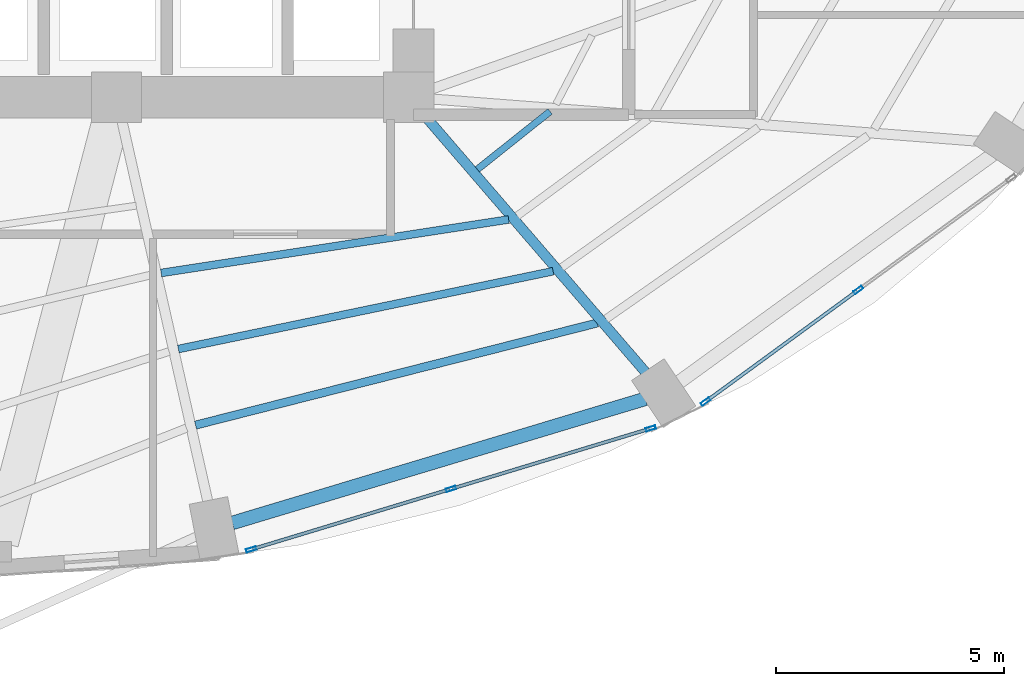
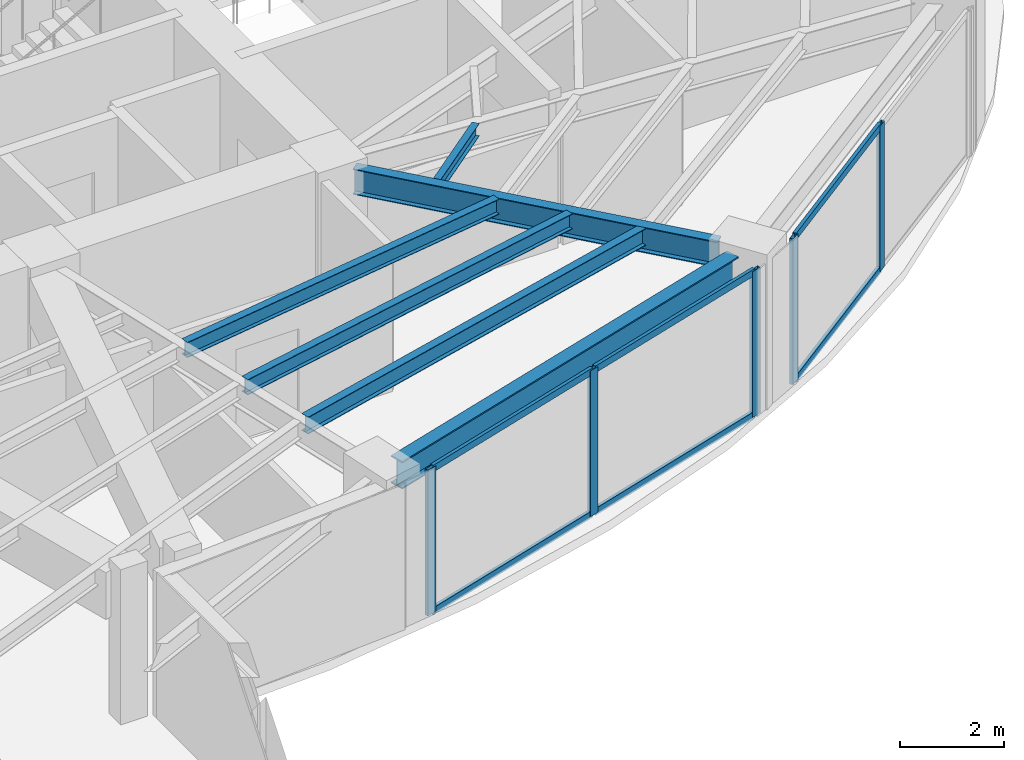
# One storey, part 9 of 24: 11 members, 6 beams, 2 elements without a shape of their own.
"""IFC4 building model written with IfcOpenShell, lengths in metres."""

from ifc_helpers import new_model, si_unit, direction, frame, origin, origin_2d, place, context, subcontext, project, spatial, hollow_rectangle, i_section, extrude, material, layer, layer_set, material_profile, profile_set, type_object, element, aggregate, save


model = new_model("IFC4")

# Units and contexts
model_context = context("Model", 3, precision=1e-05, world=origin(), true_north=direction((0.0, 1.0)))
body_context = subcontext(model_context, "Body", "Model", "MODEL_VIEW")
ifc_project = project(units=[si_unit("LENGTHUNIT", "METRE"), si_unit("AREAUNIT", "SQUARE_METRE"), si_unit("VOLUMEUNIT", "CUBIC_METRE"), si_unit("PLANEANGLEUNIT", "RADIAN"), si_unit("MASSUNIT", "GRAM", prefix="KILO")], contexts=[model_context])

# Site, building, storey
site_placement = place(None, origin())
site = spatial("IfcSite", under=ifc_project, at=site_placement, CompositionType="ELEMENT")
building_placement = place(site_placement, origin())
building = spatial("IfcBuilding", under=site, at=building_placement, Name="Lazwardi Medical Tower", CompositionType="ELEMENT")
storey_placement = place(building_placement, frame((0.0, 0.0, 68.97607421875)))
storey = spatial("IfcBuildingStorey", under=building, at=storey_placement, Name="L17", CompositionType="ELEMENT", Elevation=68.97607421875)

# Beams
ifc_material_1 = material(Name="Steel S355", Category="steel")
ifc_material_profile_1 = material_profile(ifc_material_1, i_section(OverallWidth=0.300048828125, OverallDepth=0.64990234375, WebThickness=0.01611328125, FlangeThickness=0.031005859375, at=origin_2d()), Name="HEB 650")
ifc_profile_set_1 = profile_set([ifc_material_profile_1], Name="Steel S355")
beam_type_1 = type_object("IfcBeamType", Name="BM-RB-Z1", PredefinedType="BEAM", material=ifc_profile_set_1)
beam_1_placement = place(storey_placement, frame((41.73291015625, 11.076904296875, 3.10302734375), z_axis=(0.957695289269, 0.287784177662, 0.0), x_axis=(-0.287784177662, 0.957695289269, 0.0)))
element("IfcBeam", 1, at=beam_1_placement, inside=storey, type_object=beam_type_1, Name="Ring beam RB-02 B01 L17", PredefinedType="BEAM", context=body_context, shape_type="SweptSolid", body=[
    extrude(i_section(OverallWidth=0.300048828125, OverallDepth=0.64990234375, WebThickness=0.01611328125, FlangeThickness=0.031005859375, at=origin_2d()), origin(), (0.0, 0.0, 1.0), 9.445556640625),
])
ifc_material_profile_2 = material_profile(ifc_material_1, i_section(OverallWidth=0.219970703125, OverallDepth=0.60009765625, WebThickness=0.011962890625, FlangeThickness=0.01904296875, at=origin_2d()), Name="IPE 600")
ifc_profile_set_2 = profile_set([ifc_material_profile_2], Name="Steel S355")
beam_type_2 = type_object("IfcBeamType", Name="BM-RG-W1", PredefinedType="BEAM", material=ifc_profile_set_2)
beam_2_placement = place(storey_placement, frame((50.802490234375, 14.355712890625, 3.1279296875), z_axis=(-0.652368190463, 0.757902199543, 0.0), x_axis=(-0.757902199543, -0.652368190463, 0.0)))
element("IfcBeam", 2, at=beam_2_placement, inside=storey, type_object=beam_type_2, Name="Radial girder RG-02 R02 L17", PredefinedType="BEAM", context=body_context, shape_type="SweptSolid", body=[
    extrude(i_section(OverallWidth=0.219970703125, OverallDepth=0.60009765625, WebThickness=0.011962890625, FlangeThickness=0.01904296875, at=origin_2d()), origin(), (0.0, 0.0, 1.0), 7.43994140625),
])
ifc_material_profile_3 = material_profile(ifc_material_1, i_section(OverallWidth=0.179931640625, OverallDepth=0.39990234375, WebThickness=0.008544921875, FlangeThickness=0.013427734375, at=origin_2d()), Name="IPE 400")
ifc_profile_set_3 = profile_set([ifc_material_profile_3], Name="Steel S355")
beam_type_3 = type_object("IfcBeamType", Name="BM-SJ-01", PredefinedType="JOIST", material=ifc_profile_set_3)
beam_3_placement = place(storey_placement, frame((40.927734375, 13.218994140625, 3.22802734375), z_axis=(0.969151012048, 0.246467677081, 0.0), x_axis=(-0.246467677081, 0.969151012048, 0.0)))
element("IfcBeam", 3, at=beam_3_placement, inside=storey, type_object=beam_type_3, Name="Secondary joist SJ-01 R1 B01 L17", PredefinedType="JOIST", context=body_context, shape_type="SweptSolid", body=[
    extrude(i_section(OverallWidth=0.179931640625, OverallDepth=0.39990234375, WebThickness=0.008544921875, FlangeThickness=0.013427734375, at=origin_2d()), origin(), (0.0, 0.0, 1.0), 9.08251953125),
])
ifc_material_profile_4 = material_profile(ifc_material_1, i_section(OverallWidth=0.169921875, OverallDepth=0.360107421875, WebThickness=0.008056640625, FlangeThickness=0.0126953125, at=origin_2d()), Name="IPE 360")
ifc_profile_set_4 = profile_set([ifc_material_profile_4], Name="Steel S355")
beam_type_4 = type_object("IfcBeamType", Name="BM-SJ-02", PredefinedType="JOIST", material=ifc_profile_set_4)
beam_4_placement = place(storey_placement, frame((40.5517578125, 14.885498046875, 3.248046875), z_axis=(0.979107693723, 0.203342381445, 0.0), x_axis=(-0.203342381445, 0.979107693723, 0.0)))
element("IfcBeam", 4, at=beam_4_placement, inside=storey, type_object=beam_type_4, Name="Secondary joist SJ-02 R2 B01 L17", PredefinedType="JOIST", context=body_context, shape_type="SweptSolid", body=[
    extrude(i_section(OverallWidth=0.169921875, OverallDepth=0.360107421875, WebThickness=0.008056640625, FlangeThickness=0.0126953125, at=origin_2d()), origin(), (0.0, 0.0, 1.0), 8.381591796875),
])
beam_5_placement = place(storey_placement, frame((40.175537109375, 16.551513671875, 3.248046875), z_axis=(0.988362899594, 0.152114360618, 0.0), x_axis=(-0.152114360618, 0.988362899594, 0.0)))
element("IfcBeam", 5, at=beam_5_placement, inside=storey, type_object=beam_type_4, Name="Secondary joist SJ-02 R3 B01 L17", PredefinedType="JOIST", context=body_context, shape_type="SweptSolid", body=[
    extrude(i_section(OverallWidth=0.169921875, OverallDepth=0.360107421875, WebThickness=0.008056640625, FlangeThickness=0.0126953125, at=origin_2d()), origin(), (0.0, 0.0, 1.0), 7.70068359375),
])
ifc_material_profile_5 = material_profile(ifc_material_1, i_section(OverallWidth=0.14990234375, OverallDepth=0.300048828125, WebThickness=0.007080078125, FlangeThickness=0.0107421875, at=origin_2d()), Name="IPE 300")
ifc_profile_set_5 = profile_set([ifc_material_profile_5], Name="Steel S355")
beam_type_5 = type_object("IfcBeamType", Name="BM-SJ-03", PredefinedType="JOIST", material=ifc_profile_set_5)
beam_6_placement = place(storey_placement, frame((47.098876953125, 18.8193359375, 3.27783203125), z_axis=(0.782210957226, 0.623013658274, 0.0), x_axis=(-0.623013658274, 0.782210957226, 0.0)))
element("IfcBeam", 6, at=beam_6_placement, inside=storey, type_object=beam_type_5, Name="Secondary joist SJ-03 R4 B02 L17", PredefinedType="JOIST", context=body_context, shape_type="SweptSolid", body=[
    extrude(i_section(OverallWidth=0.14990234375, OverallDepth=0.300048828125, WebThickness=0.007080078125, FlangeThickness=0.0107421875, at=origin_2d()), origin(), (0.0, 0.0, 1.0), 2.0380859375),
])

# Curtain wall, members
ifc_material_2 = material(Name="Anodised bronze aluminium and solar control glazing", Category="aluminium")
ifc_layer = layer(ifc_material_2, 0.199951171875)
ifc_layer_set = layer_set([ifc_layer], Name="Anodised bronze aluminium and solar control glazing")
curtain_wall_type = type_object("IfcCurtainWallType", Name="CW-SYS-02", PredefinedType="NOTDEFINED", material=ifc_layer_set)
curtain_wall_1_placement = place(storey_placement, origin())
curtain_wall_1 = element("IfcCurtainWall", 7, at=curtain_wall_1_placement, inside=storey, type_object=curtain_wall_type, Name="L17 Unitised bronze curtain wall CW-02", PredefinedType="NOTDEFINED")
ifc_material_3 = material(Name="Anodised bronze aluminium", Category="aluminium")
ifc_material_profile_6 = material_profile(ifc_material_3, hollow_rectangle(XDim=0.074951171875, YDim=0.219970703125, WallThickness=0.00390625, at=origin_2d()), Name="ALU-MULLION 220x75x4")
ifc_profile_set_6 = profile_set([ifc_material_profile_6], Name="Anodised bronze aluminium")
member_type_1 = type_object("IfcMemberType", Name="CW-MUL-01", PredefinedType="MULLION", material=ifc_profile_set_6)
member_1_placement = place(storey_placement, frame((42.14794921875, 10.496337890625, 0.0), z_axis=(0.0, 0.0, 1.0), x_axis=(-0.2898956909, 0.957058247129, 0.0)))
member_1 = element("IfcMember", 8, at=member_1_placement, type_object=member_type_1, Name="CW-02 mullion 1", PredefinedType="MULLION", context=body_context, shape_type="SweptSolid", body=[
    extrude(hollow_rectangle(XDim=0.074951171875, YDim=0.219970703125, WallThickness=0.00390625, at=origin_2d()), origin(), (0.0, 0.0, 1.0), 3.427978515625),
])
member_2_placement = place(storey_placement, frame((46.523193359375, 11.821533203125, 0.0), z_axis=(0.0, 0.0, 1.0), x_axis=(-0.2898956909, 0.957058247129, 0.0)))
member_2 = element("IfcMember", 9, at=member_2_placement, type_object=member_type_1, Name="CW-02 mullion 2", PredefinedType="MULLION", context=body_context, shape_type="SweptSolid", body=[
    extrude(hollow_rectangle(XDim=0.074951171875, YDim=0.219970703125, WallThickness=0.00390625, at=origin_2d()), origin(), (0.0, 0.0, 1.0), 3.427978515625),
])
member_3_placement = place(storey_placement, frame((50.8984375, 13.146728515625, 0.0), z_axis=(0.0, 0.0, 1.0), x_axis=(-0.2898956909, 0.957058247129, 0.0)))
member_3 = element("IfcMember", 10, at=member_3_placement, type_object=member_type_1, Name="CW-02 mullion 3", PredefinedType="MULLION", context=body_context, shape_type="SweptSolid", body=[
    extrude(hollow_rectangle(XDim=0.074951171875, YDim=0.219970703125, WallThickness=0.00390625, at=origin_2d()), origin(), (0.0, 0.0, 1.0), 3.427978515625),
])

curtain_wall_2_placement = place(storey_placement, origin())
curtain_wall_2 = element("IfcCurtainWall", 11, at=curtain_wall_2_placement, inside=storey, type_object=curtain_wall_type, Name="L17 Unitised bronze curtain wall CW-02", PredefinedType="NOTDEFINED")
member_4_placement = place(storey_placement, frame((52.0986328125, 13.73388671875, 0.0), z_axis=(0.0, 0.0, 1.0), x_axis=(-0.590289307341, 0.807191757663, 0.0)))
member_4 = element("IfcMember", 12, at=member_4_placement, type_object=member_type_1, Name="CW-02 mullion 1", PredefinedType="MULLION", context=body_context, shape_type="SweptSolid", body=[
    extrude(hollow_rectangle(XDim=0.074951171875, YDim=0.219970703125, WallThickness=0.00390625, at=origin_2d()), origin(), (0.0, 0.0, 1.0), 3.427978515625),
])
member_5_placement = place(storey_placement, frame((55.4443359375, 16.1806640625, 0.0), z_axis=(0.0, 0.0, 1.0), x_axis=(-0.590289307341, 0.807191757663, 0.0)))
member_5 = element("IfcMember", 13, at=member_5_placement, type_object=member_type_1, Name="CW-02 mullion 2", PredefinedType="MULLION", context=body_context, shape_type="SweptSolid", body=[
    extrude(hollow_rectangle(XDim=0.074951171875, YDim=0.219970703125, WallThickness=0.00390625, at=origin_2d()), origin(), (0.0, 0.0, 1.0), 3.427978515625),
])

# Member
ifc_material_profile_7 = material_profile(ifc_material_3, hollow_rectangle(XDim=0.074951171875, YDim=0.159912109375, WallThickness=0.00390625, at=origin_2d()), Name="ALU-TRANSOM 160x75x4")
ifc_profile_set_7 = profile_set([ifc_material_profile_7], Name="Anodised bronze aluminium")
member_type_2 = type_object("IfcMemberType", Name="CW-TRN-01", PredefinedType="USERDEFINED", material=ifc_profile_set_7)
member_6_placement = place(storey_placement, frame((42.183837890625, 10.507080078125, 0.037353515625), z_axis=(0.957047233423, 0.28993204893, 0.0), x_axis=(-0.28993204893, 0.957047233423, 0.0)))
member_6 = element("IfcMember", 14, at=member_6_placement, type_object=member_type_2, Name="CW-02 transom 1.1", ObjectType="TRANSOM", PredefinedType="USERDEFINED", context=body_context, shape_type="SweptSolid", body=[
    extrude(hollow_rectangle(XDim=0.074951171875, YDim=0.159912109375, WallThickness=0.00390625, at=origin_2d()), origin(), (0.0, 0.0, 1.0), 4.49658203125),
])

member_7_placement = place(storey_placement, frame((42.183837890625, 10.507080078125, 3.390380859375), z_axis=(0.957047233423, 0.28993204893, 0.0), x_axis=(-0.28993204893, 0.957047233423, 0.0)))
member_7 = element("IfcMember", 15, at=member_7_placement, type_object=member_type_2, Name="CW-02 transom 1.2", ObjectType="TRANSOM", PredefinedType="USERDEFINED", context=body_context, shape_type="SweptSolid", body=[
    extrude(hollow_rectangle(XDim=0.074951171875, YDim=0.159912109375, WallThickness=0.00390625, at=origin_2d()), origin(), (0.0, 0.0, 1.0), 4.49658203125),
])

member_8_placement = place(storey_placement, frame((46.55908203125, 11.83251953125, 0.037353515625), z_axis=(0.957062297904, 0.289882317383, 0.0), x_axis=(-0.289882317383, 0.957062297904, 0.0)))
member_8 = element("IfcMember", 16, at=member_8_placement, type_object=member_type_2, Name="CW-02 transom 2.1", ObjectType="TRANSOM", PredefinedType="USERDEFINED", context=body_context, shape_type="SweptSolid", body=[
    extrude(hollow_rectangle(XDim=0.074951171875, YDim=0.159912109375, WallThickness=0.00390625, at=origin_2d()), origin(), (0.0, 0.0, 1.0), 4.49658203125),
])

member_9_placement = place(storey_placement, frame((46.55908203125, 11.83251953125, 3.390380859375), z_axis=(0.957062297904, 0.289882317383, 0.0), x_axis=(-0.289882317383, 0.957062297904, 0.0)))
member_9 = element("IfcMember", 17, at=member_9_placement, type_object=member_type_2, Name="CW-02 transom 2.2", ObjectType="TRANSOM", PredefinedType="USERDEFINED", context=body_context, shape_type="SweptSolid", body=[
    extrude(hollow_rectangle(XDim=0.074951171875, YDim=0.159912109375, WallThickness=0.00390625, at=origin_2d()), origin(), (0.0, 0.0, 1.0), 4.49658203125),
])

aggregate(curtain_wall_1, [member_1, member_2, member_3, member_6, member_7, member_8, member_9])

member_10_placement = place(storey_placement, frame((52.12890625, 13.756103515625, 0.037353515625), z_axis=(0.807197636578, 0.590281268128, 0.0), x_axis=(-0.590281268128, 0.807197636578, 0.0)))
member_10 = element("IfcMember", 18, at=member_10_placement, type_object=member_type_2, Name="CW-02 transom 1.1", ObjectType="TRANSOM", PredefinedType="USERDEFINED", context=body_context, shape_type="SweptSolid", body=[
    extrude(hollow_rectangle(XDim=0.074951171875, YDim=0.159912109375, WallThickness=0.00390625, at=origin_2d()), origin(), (0.0, 0.0, 1.0), 4.06982421875),
])

member_11_placement = place(storey_placement, frame((52.12890625, 13.756103515625, 3.390380859375), z_axis=(0.807197636578, 0.590281268128, 0.0), x_axis=(-0.590281268128, 0.807197636578, 0.0)))
member_11 = element("IfcMember", 19, at=member_11_placement, type_object=member_type_2, Name="CW-02 transom 1.2", ObjectType="TRANSOM", PredefinedType="USERDEFINED", context=body_context, shape_type="SweptSolid", body=[
    extrude(hollow_rectangle(XDim=0.074951171875, YDim=0.159912109375, WallThickness=0.00390625, at=origin_2d()), origin(), (0.0, 0.0, 1.0), 4.06982421875),
])

aggregate(curtain_wall_2, [member_4, member_5, member_10, member_11])

save(model, "model.ifc")
